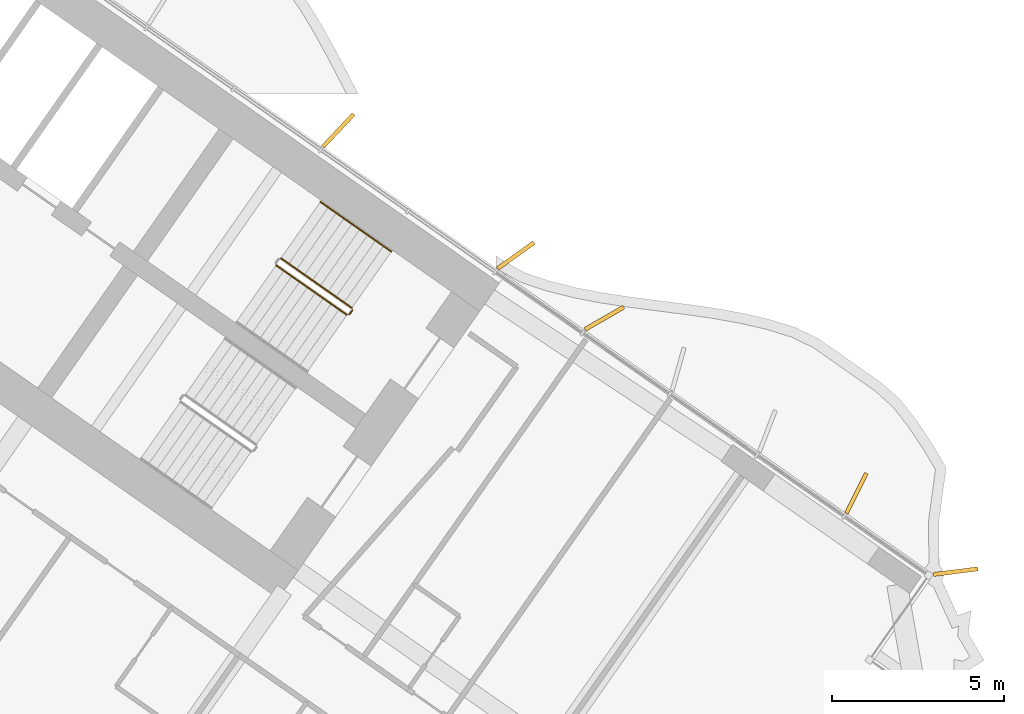
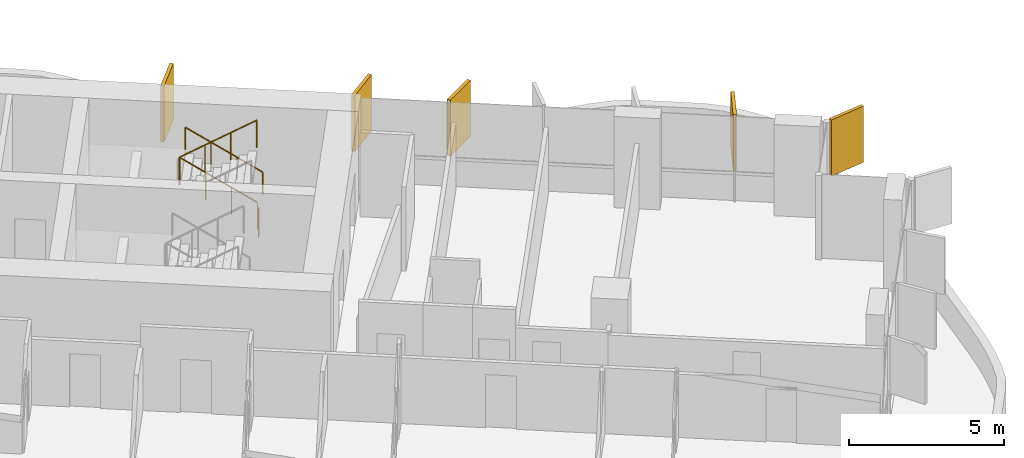
# One storey, part 23 of 23: 5 shading devices, 4 railings.
"""IFC4 building model written with IfcOpenShell, lengths in metres."""

import ifcopenshell
import ifcopenshell.guid

model = None  # the IFC model being written
_history = None  # IfcOwnerHistory: only IFC2X3 demands one
_inside = {}  # id of a spatial element -> (the spatial element, [elements in it])
_under = {}  # id of a project, library or spatial element -> (it, [spatial elements below it])
_declared = {}  # id of a project -> (the project, [libraries it declares])
_typed = {}  # id of a type object -> (the type object, [elements of that type])
_made_of = {}  # id of a material, layer set ... -> (it, [elements and type objects made of it])


def new_model(schema):
    """Start an empty IFC model of exactly this schema.

    Asked for "IFC4X3", IfcOpenShell would pick the latest addendum, in which some entities
    have other attributes; the version numbers below select the first issue.
    IFC2X3 requires an IfcOwnerHistory on every rooted entity: one is made here for all.
    """
    global model, _history
    if schema == "IFC4X3":
        model = ifcopenshell.file(schema_version=(4, 3, 0, 0))
    else:
        model = ifcopenshell.file(schema=schema)
    _inside.clear()
    _under.clear()
    _declared.clear()
    _typed.clear()
    _made_of.clear()
    _history = None
    if model.schema == "IFC2X3":
        org = make("IfcOrganization", Name="unknown")
        user = make(
            "IfcPersonAndOrganization",
            ThePerson=make("IfcPerson", FamilyName="unknown"),
            TheOrganization=org,
        )
        app = make(
            "IfcApplication",
            ApplicationDeveloper=org,
            Version="unknown",
            ApplicationFullName="unknown",
            ApplicationIdentifier="unknown",
        )
        _history = make(
            "IfcOwnerHistory",
            OwningUser=user,
            OwningApplication=app,
            ChangeAction="ADDED",
            CreationDate=0,
        )
    return model


def make(cls, **values):
    """One entity of the class cls with the attributes given. An attribute that is None is left unset."""
    return model.create_entity(
        cls, **{name: value for name, value in values.items() if value is not None}
    )


def rooted(cls, **values):
    """An entity with a GlobalId (a new one), such as an element, a storey or a relation."""
    return make(cls, GlobalId=ifcopenshell.guid.new(), OwnerHistory=_history, **values)


def si_unit(unit_type, name, prefix=None):
    """IfcSIUnit, for example si_unit("LENGTHUNIT", "METRE", prefix="MILLI")."""
    return make("IfcSIUnit", UnitType=unit_type, Prefix=prefix, Name=name)


def assignment(units):
    """IfcUnitAssignment: the units of a project."""
    return None if units is None else make("IfcUnitAssignment", Units=units)


def point(xyz):
    """IfcCartesianPoint."""
    return None if xyz is None else make("IfcCartesianPoint", Coordinates=xyz)


def direction(xyz):
    """IfcDirection."""
    return None if xyz is None else make("IfcDirection", DirectionRatios=xyz)


def frame(location, z_axis=None, x_axis=None):
    """IfcAxis2Placement3D, a coordinate frame: its origin and axes. An axis left out is left unset."""
    return make(
        "IfcAxis2Placement3D",
        Location=point(location),
        Axis=direction(z_axis),
        RefDirection=direction(x_axis),
    )


def frame_2d(location, x_axis=None):
    """IfcAxis2Placement2D, a coordinate frame in the plane: its origin and x axis."""
    return make(
        "IfcAxis2Placement2D", Location=point(location), RefDirection=direction(x_axis)
    )


def origin():
    """The frame at (0, 0, 0) with its axes left unset."""
    return frame((0.0, 0.0, 0.0))


def origin_2d():
    """The frame at (0, 0) in the plane with its x axis left unset."""
    return frame_2d((0.0, 0.0))


def place(relative_to, where):
    """IfcLocalPlacement: puts the frame where relative to a parent placement (None: the world)."""
    return make(
        "IfcLocalPlacement", PlacementRelTo=relative_to, RelativePlacement=where
    )


def context(
    kind, dimensions, precision=None, world=None, true_north=None, identifier=None
):
    """IfcGeometricRepresentationContext, for example the 3D "Model" context."""
    return make(
        "IfcGeometricRepresentationContext",
        ContextIdentifier=identifier,
        ContextType=kind,
        CoordinateSpaceDimension=dimensions,
        Precision=precision,
        WorldCoordinateSystem=world,
        TrueNorth=true_north,
    )


def subcontext(parent, identifier, kind, view, scale=None):
    """IfcGeometricRepresentationSubContext, for example "Body" below "Model"."""
    return make(
        "IfcGeometricRepresentationSubContext",
        ContextIdentifier=identifier,
        ContextType=kind,
        ParentContext=parent,
        TargetScale=scale,
        TargetView=view,
    )


def project(units=None, contexts=None):
    """IfcProject with its units and contexts."""
    return rooted(
        "IfcProject",
        Name="project",
        RepresentationContexts=contexts,
        UnitsInContext=assignment(units),
    )


def spatial(cls, under=None, at=None, **own):
    """A site, building, storey or space (cls), placed at a placement, below another one or the project."""
    s = rooted(cls, ObjectPlacement=at, **own)
    if under is not None:
        _under.setdefault(under.id(), (under, []))[1].append(s)
    return s


def profile(cls, at=None, kind="AREA", **sizes):
    """A parametric profile (cls). Its sizes go by their IFC names, for example OverallWidth=200.0."""
    return make(cls, ProfileType=kind, Position=at, **sizes)


def rectangle(**sizes):
    """IfcRectangleProfileDef."""
    return profile("IfcRectangleProfileDef", **sizes)


def circle(**sizes):
    """IfcCircleProfileDef."""
    return profile("IfcCircleProfileDef", **sizes)


def extrude(swept, where, along, depth):
    """IfcExtrudedAreaSolid: the profile swept, set in the frame where, extruded along a direction by depth."""
    return make(
        "IfcExtrudedAreaSolid",
        SweptArea=swept,
        Position=where,
        ExtrudedDirection=direction(along),
        Depth=depth,
    )


def shape(context_of_items, identifier, shape_type, items):
    """IfcShapeRepresentation: the items that make up one representation, for example the "Body"."""
    return make(
        "IfcShapeRepresentation",
        ContextOfItems=context_of_items,
        RepresentationIdentifier=identifier,
        RepresentationType=shape_type,
        Items=items,
    )


def material(Name=None, Category=None):
    """IfcMaterial."""
    return make("IfcMaterial", Name=Name, Category=Category)


def layer(
    of_material, thickness, ventilated=None, Name=None, Category=None, Priority=None
):
    """IfcMaterialLayer: one layer of a wall or slab, of a material (None: an air gap)."""
    return make(
        "IfcMaterialLayer",
        Material=of_material,
        LayerThickness=thickness,
        IsVentilated=ventilated,
        Name=Name,
        Category=Category,
        Priority=Priority,
    )


def layer_set(layers, Name=None):
    """IfcMaterialLayerSet."""
    return make("IfcMaterialLayerSet", MaterialLayers=layers, LayerSetName=Name)


def made_of(thing, what):
    """Note that an element or type object is made of a material, layer set ...; save() writes the relation."""
    if what is not None:
        _made_of.setdefault(what.id(), (what, []))[1].append(thing)
    return thing


def type_object(cls, material=None, **own):
    """A type object (cls), such as IfcWallType, which elements share."""
    return made_of(rooted(cls, **own), material)


def element(
    cls,
    number,
    at=None,
    inside=None,
    cuts=None,
    type_object=None,
    material=None,
    context=None,
    identifier="Body",
    shape_type=None,
    held_by="IfcProductDefinitionShape",
    body=None,
    shapes=None,
    **own,
):
    """One element of the class cls, such as IfcWall. Its Tag is "e" and its number.

    at: its placement. inside: the storey or other place that contains it. cuts: it is an
    opening in that element (IfcRelVoidsElement). A single representation is given by context,
    identifier, shape_type and body (its items); several are given by shapes. held_by: the class
    of the entity that holds the representations. save() writes the other relations.
    """
    e = rooted(cls, Tag="e%d" % number, ObjectPlacement=at, **own)
    if body is not None:
        shapes = [shape(context, identifier, shape_type, body)]
    if shapes is not None:
        e.Representation = make(held_by, Representations=shapes)
    if inside is not None:
        _inside.setdefault(inside.id(), (inside, []))[1].append(e)
    if cuts is not None:
        rooted(
            "IfcRelVoidsElement", RelatingBuildingElement=cuts, RelatedOpeningElement=e
        )
    if type_object is not None:
        _typed.setdefault(type_object.id(), (type_object, []))[1].append(e)
    return made_of(e, material)


def aggregate(whole, parts):
    """IfcRelAggregates: a whole, such as a stair, and the parts it consists of."""
    return rooted("IfcRelAggregates", RelatingObject=whole, RelatedObjects=parts)


def save(model, path):
    """Write the relations noted so far, then the file.

    IfcRelAggregates (storeys below a building ...), IfcRelContainedInSpatialStructure (elements
    in a storey), IfcRelDefinesByType, IfcRelAssociatesMaterial and IfcRelDeclares: one each for
    every whole, place, type object, material and project.
    """
    for whole, parts in _under.values():
        aggregate(whole, parts)
    for where, things in _inside.values():
        rooted(
            "IfcRelContainedInSpatialStructure",
            RelatedElements=things,
            RelatingStructure=where,
        )
    for kind, things in _typed.values():
        rooted("IfcRelDefinesByType", RelatedObjects=things, RelatingType=kind)
    for what, things in _made_of.values():
        rooted("IfcRelAssociatesMaterial", RelatedObjects=things, RelatingMaterial=what)
    for by, libraries in _declared.values():
        rooted("IfcRelDeclares", RelatingContext=by, RelatedDefinitions=libraries)
    model.write(path)


model = new_model("IFC4")

# Units and contexts
model_context = context("Model", 3, precision=1e-05, world=origin(), true_north=direction((0.0, 1.0)))
body_context = subcontext(model_context, "Body", "Model", "MODEL_VIEW")
ifc_project = project(units=[si_unit("LENGTHUNIT", "METRE"), si_unit("AREAUNIT", "SQUARE_METRE"), si_unit("VOLUMEUNIT", "CUBIC_METRE"), si_unit("PLANEANGLEUNIT", "RADIAN"), si_unit("MASSUNIT", "GRAM", prefix="KILO")], contexts=[model_context])

# Site, building, storey
site_placement = place(None, origin())
site = spatial("IfcSite", under=ifc_project, at=site_placement, CompositionType="ELEMENT")
building_placement = place(site_placement, origin())
building = spatial("IfcBuilding", under=site, at=building_placement, Name="Tel Ilan Convention Tower", CompositionType="ELEMENT")
storey_placement = place(building_placement, frame((0.0, 0.0, 101.300048828125)))
storey = spatial("IfcBuildingStorey", under=building, at=storey_placement, Name="L21", CompositionType="ELEMENT", Elevation=101.300048828125)

# Shading devices
ifc_material_1 = material(Name="Aluminium, bronze anodised", Category="aluminium")
ifc_layer = layer(ifc_material_1, 0.1201171875)
ifc_layer_set = layer_set([ifc_layer], Name="FIN BRONZE 1300x120")
shading_device_type = type_object("IfcShadingDeviceType", Name="FIN BRONZE 1300x120", PredefinedType="USERDEFINED", material=ifc_layer_set)
for number, where, z_axis, x_axis, name in (
    (1, (28.446044921875, -6.328125, 1.10009765625), (0.0, 0.0, 1.0), (0.813552070258, 0.581492071294, 0.0), "FIN"),
    (2, (23.282958984375, -2.689697265625, 1.10009765625), (0.0, 0.0, 1.0), (0.686241637865, 0.727373641577, 0.0), "FIN"),
    (3, (41.238037109375, -15.521728515625, 1.10009765625), (0.0, 0.0, 1.0), (0.992066016082, 0.125718016748, 0.0), "FIN"),
    (4, (38.350341796875, -13.239990234375, 1.10009765625), (0.0, 0.0, 1.0), (0.448799180206, 0.893632640321, 0.0), "FIN"),
    (5, (31.020263671875, -8.153076171875, 1.10009765625), (0.0, 0.0, 1.0), (0.866025403784, 0.5, 0.0), "FIN"),
):
    element("IfcShadingDevice", number, at=place(storey_placement, frame(where, z_axis=z_axis, x_axis=x_axis)), inside=storey, type_object=shading_device_type, Name=name, ObjectType="FIN", PredefinedType="USERDEFINED", context=body_context, shape_type="SweptSolid", body=[
        extrude(rectangle(XDim=1.300048828125, YDim=0.1201171875, at=origin_2d()), origin(), (0.0, 0.0, 1.0), 2.219970703125),
    ])

# Railings
ifc_material_2 = material(Name="Stainless Steel Grade 316", Category="steel")
railing_type_1 = type_object("IfcRailingType", Name="Stainless Steel Stair Guard 1100 mm", PredefinedType="GUARDRAIL", material=ifc_material_2)
railing_1_placement = place(storey_placement, frame((23.6787109375, -7.8515625, 0.179931640625)))
element("IfcRailing", 6, at=railing_1_placement, inside=storey, type_object=railing_type_1, Name="L21 S3 stair guard 1", PredefinedType="GUARDRAIL", context=body_context, shape_type="SweptSolid", body=[
    extrude(circle(Radius=0.02392578125, at=origin_2d()), frame((0.0, 0.0, 1.076171875), z_axis=(-0.689013013563, 0.482512838948, 0.540779462804), x_axis=(-0.573624882958, -0.819118119475, 0.0)), (0.0, 0.0, 1.0), 2.995849609375),
    extrude(circle(Radius=0.02099609375, at=origin_2d()), origin(), (0.0, 0.0, 1.0), 1.052001953125),
    extrude(circle(Radius=0.02099609375, at=origin_2d()), frame((-0.68798828125, 0.48193359375, 0.5400390625)), (0.0, 0.0, 1.0), 1.052001953125),
    extrude(circle(Radius=0.02099609375, at=origin_2d()), frame((-1.376220703125, 0.963623046875, 1.080078125)), (0.0, 0.0, 1.0), 1.052001953125),
    extrude(circle(Radius=0.02099609375, at=origin_2d()), frame((-2.064208984375, 1.445556640625, 1.6201171875)), (0.0, 0.0, 1.0), 1.052001953125),
])
railing_2_placement = place(storey_placement, frame((21.47119140625, -6.61083984375, 1.97998046875)))
element("IfcRailing", 7, at=railing_2_placement, inside=storey, type_object=railing_type_1, Name="L21 S3 stair guard 3", PredefinedType="GUARDRAIL", context=body_context, shape_type="SweptSolid", body=[
    extrude(circle(Radius=0.02392578125, at=origin_2d()), frame((0.0, 0.0, 1.076171875), z_axis=(0.689043377453, -0.48253410265, 0.540721798865), x_axis=(0.573624882958, 0.819118119475, 0.0)), (0.0, 0.0, 1.0), 2.995849609375),
    extrude(circle(Radius=0.02099609375, at=origin_2d()), origin(), (0.0, 0.0, 1.0), 1.052001953125),
    extrude(circle(Radius=0.02099609375, at=origin_2d()), frame((0.68798828125, -0.48193359375, 0.5400390625)), (0.0, 0.0, 1.0), 1.052001953125),
    extrude(circle(Radius=0.02099609375, at=origin_2d()), frame((1.376220703125, -0.963623046875, 1.079833984375)), (0.0, 0.0, 1.0), 1.052001953125),
    extrude(circle(Radius=0.02099609375, at=origin_2d()), frame((2.064208984375, -1.445556640625, 1.619873046875)), (0.0, 0.0, 1.0), 1.052001953125),
])
railing_3_placement = place(storey_placement, frame((23.691162109375, -7.921142578125, 0.0)))
element("IfcRailing", 8, at=railing_3_placement, inside=storey, type_object=railing_type_1, Name="L21 S3 stair guard 4", PredefinedType="GUARDRAIL", context=body_context, shape_type="SweptSolid", body=[
    extrude(circle(Radius=0.02392578125, at=origin_2d()), frame((0.0, 0.0, 1.076171875), z_axis=(-0.574444878118, -0.818543268254, 0.0), x_axis=(0.818543268254, -0.574444878118, 0.0)), (0.0, 0.0, 1.0), 0.150146484375),
    extrude(circle(Radius=0.02099609375, at=origin_2d()), origin(), (0.0, 0.0, 1.0), 1.052001953125),
    extrude(circle(Radius=0.02099609375, at=origin_2d()), frame((-0.086181640625, -0.122802734375, 0.0)), (0.0, 0.0, 1.0), 1.052001953125),
])
ifc_material_3 = material(Name="Stainless Steel Grade 316", Category="steel")
railing_type_2 = type_object("IfcRailingType", Name="Stainless Steel Stair Handrail 900 mm", PredefinedType="HANDRAIL", material=ifc_material_3)
railing_4_placement = place(storey_placement, frame((24.825927734375, -6.213134765625, 0.179931640625)))
element("IfcRailing", 9, at=railing_4_placement, inside=storey, type_object=railing_type_2, Name="L21 S3 stair handrail 1", PredefinedType="HANDRAIL", context=body_context, shape_type="SweptSolid", body=[
    extrude(circle(Radius=0.02392578125, at=origin_2d()), frame((0.0, 0.0, 0.8759765625), z_axis=(-0.689040105437, 0.482450316285, 0.54080072616), x_axis=(-0.573559875649, -0.819163639968, 0.0)), (0.0, 0.0, 1.0), 2.995849609375),
    extrude(circle(Radius=0.02099609375, at=origin_2d()), origin(), (0.0, 0.0, 1.0), 0.851806640625),
    extrude(circle(Radius=0.02099609375, at=origin_2d()), frame((-0.68798828125, 0.481689453125, 0.5400390625)), (0.0, 0.0, 1.0), 0.851806640625),
    extrude(circle(Radius=0.02099609375, at=origin_2d()), frame((-1.376220703125, 0.963623046875, 1.080078125)), (0.0, 0.0, 1.0), 0.851806640625),
    extrude(circle(Radius=0.02099609375, at=origin_2d()), frame((-2.064208984375, 1.4453125, 1.6201171875)), (0.0, 0.0, 1.0), 0.851806640625),
])

save(model, "model.ifc")
